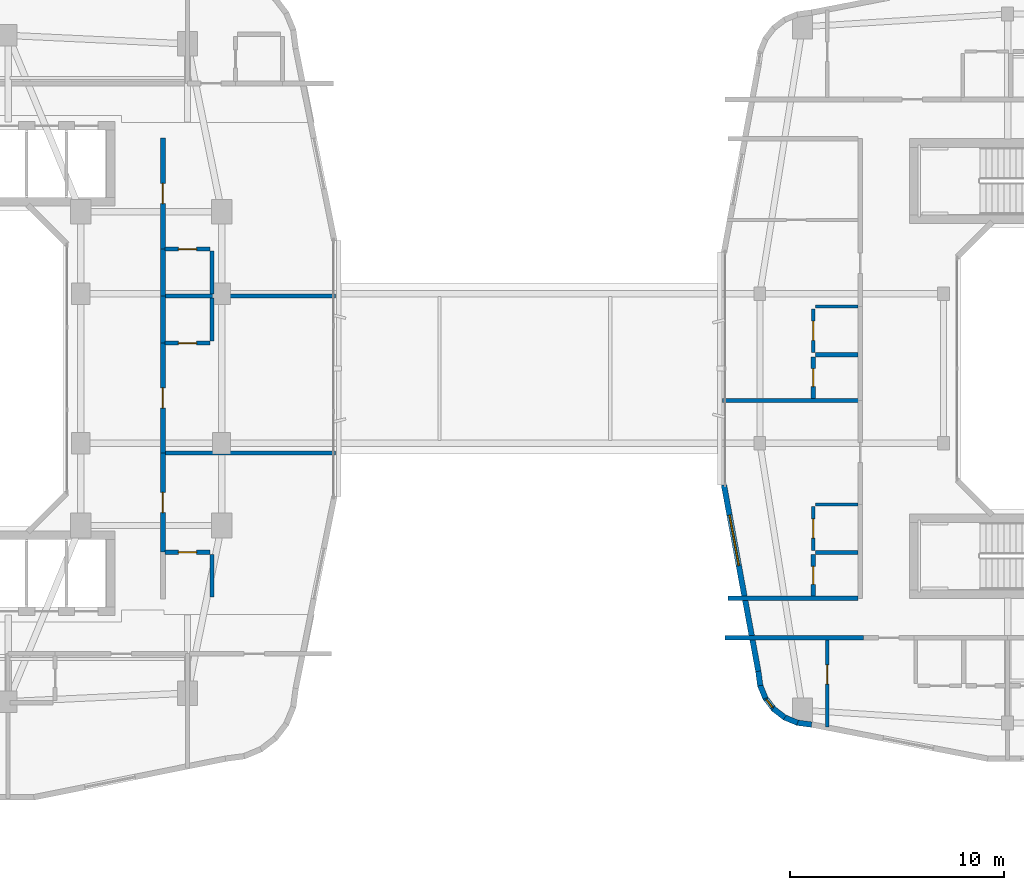
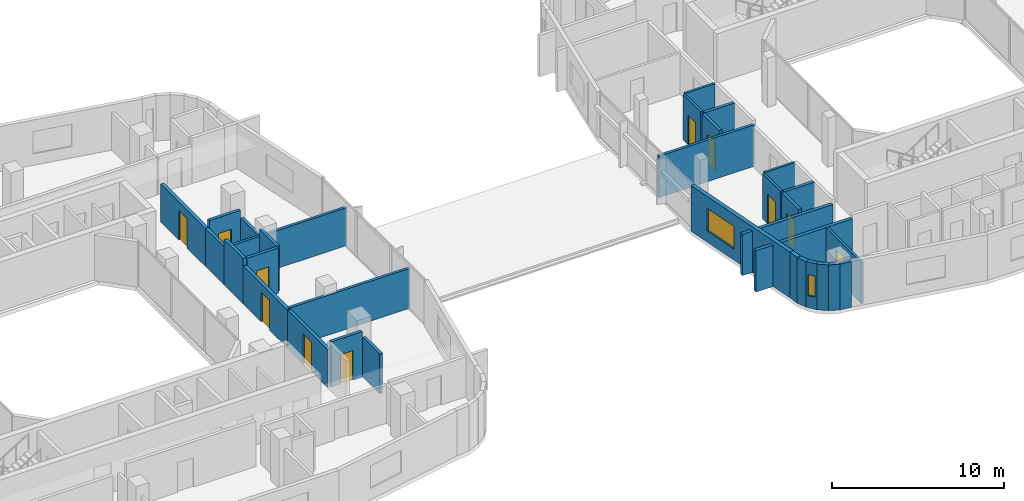
# One storey, part 10 of 22: 32 walls, 11 doors, 2 windows, 13 openings.
"""IFC4 building model written with IfcOpenShell, lengths in metres."""

from ifc_helpers import new_model, si_unit, derived_unit, direction, frame, frame_2d, origin, place, context, subcontext, project, spatial, rectangle, extrude, material, layer, layer_set, type_object, element, fill, save


model = new_model("IFC4")

# Units and contexts
model_context = context("Model", 3, precision=1e-05, world=origin(), true_north=direction((0.0, 1.0)))
body_context = subcontext(model_context, "Body", "Model", "MODEL_VIEW")
ifc_project = project(units=[si_unit("LENGTHUNIT", "METRE"), si_unit("AREAUNIT", "SQUARE_METRE"), si_unit("VOLUMEUNIT", "CUBIC_METRE"), si_unit("PLANEANGLEUNIT", "RADIAN"), si_unit("MASSUNIT", "GRAM", prefix="KILO"), derived_unit("THERMALTRANSMITTANCEUNIT", [(si_unit("POWERUNIT", "WATT"), 1), (si_unit("LENGTHUNIT", "METRE"), -2), (si_unit("THERMODYNAMICTEMPERATUREUNIT", "KELVIN"), -1)])], contexts=[model_context])

# Site, building, storey
site_placement = place(None, origin())
site = spatial("IfcSite", under=ifc_project, at=site_placement, CompositionType="ELEMENT")
building_placement = place(site_placement, origin())
building = spatial("IfcBuilding", under=site, at=building_placement, Name="Kivonza Crest Hotel", CompositionType="ELEMENT")
storey_placement = place(building_placement, frame((0.0, 0.0, 124.0)))
storey = spatial("IfcBuildingStorey", under=building, at=storey_placement, Name="L33", CompositionType="ELEMENT", Elevation=124.0)

# Walls
ifc_material_1 = material(Name="High-density acoustic masonry inter-tenancy wall", Category="masonry")
ifc_layer_1 = layer(ifc_material_1, 0.179931640625)
ifc_layer_set_1 = layer_set([ifc_layer_1], Name="High-density acoustic masonry inter-tenancy wall")
wall_type_1 = type_object("IfcWallType", Name="WL-ACOU-180", PredefinedType="SOLIDWALL", material=ifc_layer_set_1)
wall_1_placement = place(storey_placement, frame((33.050048828125, 21.049072265625, 0.0), z_axis=(0.0, 0.0, 1.0), x_axis=(1.0, 0.0, 0.0)))
element("IfcWall", 1, at=wall_1_placement, inside=storey, type_object=wall_type_1, Name="L33 interior partition WA-L33-T1E-DIV1", PredefinedType="SOLIDWALL", context=body_context, shape_type="SweptSolid", body=[
    extrude(rectangle(XDim=8.08984375, YDim=0.179931640625, at=frame_2d((4.044921875, 0.0))), origin(), (0.0, 0.0, 1.0), 2.8349609375),
])
wall_2_placement = place(storey_placement, frame((33.050048828125, 28.39306640625, 0.0), z_axis=(0.0, 0.0, 1.0), x_axis=(1.0, 0.0, 0.0)))
element("IfcWall", 2, at=wall_2_placement, inside=storey, type_object=wall_type_1, Name="L33 interior partition WA-L33-T1E-DIV2", PredefinedType="SOLIDWALL", context=body_context, shape_type="SweptSolid", body=[
    extrude(rectangle(XDim=8.08984375, YDim=0.179931640625, at=frame_2d((4.044921875, 0.0))), origin(), (0.0, 0.0, 1.0), 2.695068359375),
])
wall_3_placement = place(storey_placement, frame((59.260009765625, 23.5, 0.0), z_axis=(0.0, 0.0, 1.0), x_axis=(1.0, 0.0, 0.0)))
element("IfcWall", 3, at=wall_3_placement, inside=storey, type_object=wall_type_1, Name="L33 interior partition WA-L33-T2W-DIV1", PredefinedType="SOLIDWALL", context=body_context, shape_type="SweptSolid", body=[
    extrude(rectangle(XDim=6.43994140625, YDim=0.179931640625, at=frame_2d((3.219970703125, 0.0))), origin(), (0.0, 0.0, 1.0), 2.945068359375),
])

# Wall, opening, door
ifc_material_2 = material(Name="Autoclaved aerated concrete blockwork", Category="masonry")
ifc_layer_2 = layer(ifc_material_2, 0.219970703125)
ifc_layer_set_2 = layer_set([ifc_layer_2], Name="Autoclaved aerated concrete blockwork")
wall_type_2 = type_object("IfcWallType", Name="WL-ACOU-220", PredefinedType="SOLIDWALL", material=ifc_layer_set_2)
wall_4_placement = place(storey_placement, frame((33.050048828125, 16.39990234375, 0.0), z_axis=(0.0, 0.0, 1.0), x_axis=(0.0, 1.0, 0.0)))
wall_4 = element("IfcWall", 4, at=wall_4_placement, inside=storey, type_object=wall_type_2, Name="L33 interior partition WA-L33-E06-MCORR", PredefinedType="SOLIDWALL", context=body_context, shape_type="SweptSolid", body=[
    extrude(rectangle(XDim=4.649169921875, YDim=0.219970703125, at=frame_2d((2.32470703125, 0.0))), origin(), (0.0, 0.0, 1.0), 2.695068359375),
])
opening_1_placement = place(wall_4_placement, frame((1.85009765625, 0.0, 0.0)))
opening_1 = element("IfcOpeningElement", 5, at=opening_1_placement, cuts=wall_4, Name="Opening DU-60", PredefinedType="OPENING", context=body_context, shape_type="SweptSolid", body=[
    extrude(rectangle(XDim=0.949951171875, YDim=2.10009765625, at=frame_2d((0.47509765625, 1.050048828125))), frame((0.0, 0.1201171875, 0.0), z_axis=(0.0, -1.0, 0.0), x_axis=(1.0, 0.0, 0.0)), (0.0, 0.0, 1.0), 0.239990234375),
])
ifc_material_3 = material(Name="Hardwood timber oak", Category="wood")
door_type_1 = type_object("IfcDoorType", Name="DR-UNIT-950", OperationType="NOTDEFINED", PredefinedType="DOOR", material=ifc_material_3)
door_1_placement = place(opening_1_placement, frame((0.949951171875, 0.0, 0.0), z_axis=(0.0, 0.0, 1.0), x_axis=(-1.0, 0.0, 0.0)))
door_1 = element("IfcDoor", 6, at=door_1_placement, inside=storey, type_object=door_type_1, Name="L33 E06 guest unit entrance fire door", OperationType="SINGLE_SWING_RIGHT", OverallHeight=2.10009765625, OverallWidth=0.949951171875, PredefinedType="DOOR", context=body_context, shape_type="SweptSolid", body=[
    extrude(rectangle(XDim=0.949951171875, YDim=2.10009765625, at=frame_2d((0.47509765625, 1.050048828125))), frame((0.0, 0.02490234375, 0.0), z_axis=(0.0, -1.0, 0.0), x_axis=(1.0, 0.0, 0.0)), (0.0, 0.0, 1.0), 0.050048828125),
])
fill(opening_1, door_1)

# Wall
wall_5_placement = place(storey_placement, frame((33.050048828125, 26.193115234375, 0.0), z_axis=(0.0, 0.0, 1.0), x_axis=(0.0, 1.0, 0.0)))
element("IfcWall", 7, at=wall_5_placement, inside=storey, type_object=wall_type_2, Name="L33 interior partition WA-L33-E07-BCORR", PredefinedType="SOLIDWALL", context=body_context, shape_type="SweptSolid", body=[
    extrude(rectangle(XDim=2.199951171875, YDim=0.219970703125, at=frame_2d((1.10009765625, 0.0))), origin(), (0.0, 0.0, 1.0), 3.219970703125),
])

# Wall, opening, door
wall_6_placement = place(storey_placement, frame((33.050048828125, 21.049072265625, 0.0), z_axis=(0.0, 0.0, 1.0), x_axis=(0.0, 1.0, 0.0)))
wall_6 = element("IfcWall", 8, at=wall_6_placement, inside=storey, type_object=wall_type_2, Name="L33 interior partition WA-L33-E07-MCORR", PredefinedType="SOLIDWALL", context=body_context, shape_type="SweptSolid", body=[
    extrude(rectangle(XDim=5.14404296875, YDim=0.219970703125, at=frame_2d((2.572021484375, 0.0))), origin(), (0.0, 0.0, 1.0), 2.695068359375),
])
opening_2_placement = place(wall_6_placement, frame((2.096923828125, 0.0, 0.0)))
opening_2 = element("IfcOpeningElement", 9, at=opening_2_placement, cuts=wall_6, Name="Opening DU-60", PredefinedType="OPENING", context=body_context, shape_type="SweptSolid", body=[
    extrude(rectangle(XDim=0.949951171875, YDim=2.10009765625, at=frame_2d((0.47509765625, 1.050048828125))), frame((0.0, 0.1201171875, 0.0), z_axis=(0.0, -1.0, 0.0), x_axis=(1.0, 0.0, 0.0)), (0.0, 0.0, 1.0), 0.239990234375),
])
door_2_placement = place(opening_2_placement, frame((0.949951171875, 0.0, 0.0), z_axis=(0.0, 0.0, 1.0), x_axis=(-1.0, 0.0, 0.0)))
door_2 = element("IfcDoor", 10, at=door_2_placement, inside=storey, type_object=door_type_1, Name="L33 E07 guest unit entrance fire door", OperationType="SINGLE_SWING_LEFT", OverallHeight=2.10009765625, OverallWidth=0.949951171875, PredefinedType="DOOR", context=body_context, shape_type="SweptSolid", body=[
    extrude(rectangle(XDim=0.949951171875, YDim=2.10009765625, at=frame_2d((0.47509765625, 1.050048828125))), frame((0.0, 0.02490234375, 0.0), z_axis=(0.0, -1.0, 0.0), x_axis=(1.0, 0.0, 0.0)), (0.0, 0.0, 1.0), 0.050048828125),
])
fill(opening_2, door_2)

# Wall
wall_7_placement = place(storey_placement, frame((33.050048828125, 28.39306640625, 0.0), z_axis=(0.0, 0.0, 1.0), x_axis=(0.0, 1.0, 0.0)))
element("IfcWall", 11, at=wall_7_placement, inside=storey, type_object=wall_type_2, Name="L33 interior partition WA-L33-E08-BCORR", PredefinedType="SOLIDWALL", context=body_context, shape_type="SweptSolid", body=[
    extrude(rectangle(XDim=2.199951171875, YDim=0.219970703125, at=frame_2d((1.10009765625, 0.0))), origin(), (0.0, 0.0, 1.0), 2.695068359375),
])

# Wall, opening, door
wall_8_placement = place(storey_placement, frame((33.050048828125, 30.593017578125, 0.0), z_axis=(0.0, 0.0, 1.0), x_axis=(0.0, 1.0, 0.0)))
wall_8 = element("IfcWall", 12, at=wall_8_placement, inside=storey, type_object=wall_type_2, Name="L33 interior partition WA-L33-E08-MCORR", PredefinedType="SOLIDWALL", context=body_context, shape_type="SweptSolid", body=[
    extrude(rectangle(XDim=5.20703125, YDim=0.219970703125, at=frame_2d((2.603515625, 0.0))), origin(), (0.0, 0.0, 1.0), 2.695068359375),
])
opening_3_placement = place(wall_8_placement, frame((2.1279296875, 0.0, 0.0)))
opening_3 = element("IfcOpeningElement", 13, at=opening_3_placement, cuts=wall_8, Name="Opening DU-60", PredefinedType="OPENING", context=body_context, shape_type="SweptSolid", body=[
    extrude(rectangle(XDim=0.949951171875, YDim=2.10009765625, at=frame_2d((0.47509765625, 1.050048828125))), frame((0.0, 0.1201171875, 0.0), z_axis=(0.0, -1.0, 0.0), x_axis=(1.0, 0.0, 0.0)), (0.0, 0.0, 1.0), 0.239990234375),
])
door_3_placement = place(opening_3_placement, frame((0.949951171875, 0.0, 0.0), z_axis=(0.0, 0.0, 1.0), x_axis=(-1.0, 0.0, 0.0)))
door_3 = element("IfcDoor", 14, at=door_3_placement, inside=storey, type_object=door_type_1, Name="L33 E08 guest unit entrance fire door", OperationType="SINGLE_SWING_RIGHT", OverallHeight=2.10009765625, OverallWidth=0.949951171875, PredefinedType="DOOR", context=body_context, shape_type="SweptSolid", body=[
    extrude(rectangle(XDim=0.949951171875, YDim=2.10009765625, at=frame_2d((0.47509765625, 1.050048828125))), frame((0.0, 0.02490234375, 0.0), z_axis=(0.0, -1.0, 0.0), x_axis=(1.0, 0.0, 0.0)), (0.0, 0.0, 1.0), 0.050048828125),
])
fill(opening_3, door_3)

# Walls
wall_9_placement = place(storey_placement, frame((59.360107421875, 12.39990234375, 0.0), z_axis=(0.0, 0.0, 1.0), x_axis=(1.0, 0.0, 0.0)))
element("IfcWall", 15, at=wall_9_placement, inside=storey, type_object=wall_type_2, Name="L33 interior partition WA-L33-A03-LCORR", PredefinedType="SOLIDWALL", context=body_context, shape_type="SweptSolid", body=[
    extrude(rectangle(XDim=6.489990234375, YDim=0.219970703125, at=frame_2d((3.2451171875, 0.0))), origin(), (0.0, 0.0, 1.0), 2.945068359375),
])
wall_10_placement = place(storey_placement, frame((59.52001953125, 14.239990234375, 0.0), z_axis=(0.0, 0.0, 1.0), x_axis=(1.0, 0.0, 0.0)))
element("IfcWall", 16, at=wall_10_placement, inside=storey, type_object=wall_type_2, Name="L33 interior partition WA-L33-T2W-ENDS", PredefinedType="SOLIDWALL", context=body_context, shape_type="SweptSolid", body=[
    extrude(rectangle(XDim=6.080078125, YDim=0.219970703125, at=frame_2d((3.0400390625, 0.0))), origin(), (0.0, 0.0, 1.0), 2.945068359375),
])
ifc_material_4 = material(Name="Precast concrete C40/50", Category="concrete")
ifc_layer_3 = layer(ifc_material_4, 0.260009765625)
ifc_layer_set_3 = layer_set([ifc_layer_3], Name="Precast concrete C40/50")
wall_type_3 = type_object("IfcWallType", Name="WL-EXT-260", PredefinedType="STANDARD", material=ifc_layer_set_3)
wall_11_placement = place(storey_placement, frame((60.927978515625, 10.824951171875, 0.0), z_axis=(0.0, 0.0, 1.0), x_axis=(0.131667498923, -0.991293937098, 0.0)))
element("IfcWall", 17, at=wall_11_placement, inside=storey, type_object=wall_type_3, Name="L33 T2 exterior insulated wall 1", PredefinedType="STANDARD", context=body_context, shape_type="SweptSolid", body=[
    extrude(rectangle(XDim=0.6767578125, YDim=0.260009765625, at=frame_2d((0.33837890625, 0.0))), origin(), (0.0, 0.0, 1.0), 3.25),
])
wall_12_placement = place(storey_placement, frame((60.9990234375, 10.199951171875, 0.0), z_axis=(0.0, 0.0, 1.0), x_axis=(0.381988976935, -0.924166879681, 0.0)))
element("IfcWall", 18, at=wall_12_placement, inside=storey, type_object=wall_type_3, Name="L33 T2 exterior insulated wall 2", PredefinedType="STANDARD", context=body_context, shape_type="SweptSolid", body=[
    extrude(rectangle(XDim=0.693359375, YDim=0.260009765625, at=frame_2d((0.3466796875, 0.0))), origin(), (0.0, 0.0, 1.0), 3.25),
])

# Wall, opening, window
wall_13_placement = place(storey_placement, frame((61.236083984375, 9.59912109375, 0.0), z_axis=(0.0, 0.0, 1.0), x_axis=(0.609472651958, -0.792807092876, 0.0)))
wall_13 = element("IfcWall", 19, at=wall_13_placement, inside=storey, type_object=wall_type_3, Name="L33 T2 exterior insulated wall 3", PredefinedType="STANDARD", context=body_context, shape_type="SweptSolid", body=[
    extrude(rectangle(XDim=0.69384765625, YDim=0.260009765625, at=frame_2d((0.346923828125, 0.0))), origin(), (0.0, 0.0, 1.0), 3.25),
])
opening_4_placement = place(wall_13_placement, frame((0.1220703125, 0.0, 0.85009765625)))
opening_4 = element("IfcOpeningElement", 20, at=opening_4_placement, cuts=wall_13, Name="Opening WN-11", PredefinedType="OPENING", context=body_context, shape_type="SweptSolid", body=[
    extrude(rectangle(XDim=0.449951171875, YDim=1.5, at=frame_2d((0.22509765625, 0.75))), frame((0.0, 0.14013671875, 0.0), z_axis=(0.0, -1.0, 0.0), x_axis=(1.0, 0.0, 0.0)), (0.0, 0.0, 1.0), 0.280029296875),
])
ifc_material_5 = material(Name="Thermally broken bronze aluminium and low-E double glazing", Category="aluminium")
window_type_1 = type_object("IfcWindowType", Name="WN-045x150", PartitioningType="SINGLE_PANEL", PredefinedType="WINDOW", material=ifc_material_5)
window_1_placement = place(opening_4_placement, origin())
window_1 = element("IfcWindow", 21, at=window_1_placement, inside=storey, type_object=window_type_1, Name="L33 corner vision window 4", OverallHeight=1.5, OverallWidth=0.449951171875, PartitioningType="SINGLE_PANEL", PredefinedType="WINDOW", context=body_context, shape_type="SweptSolid", body=[
    extrude(rectangle(XDim=0.449951171875, YDim=1.5, at=frame_2d((0.22509765625, 0.75))), frame((0.0, 0.030029296875, 0.0), z_axis=(0.0, -1.0, 0.0), x_axis=(1.0, 0.0, 0.0)), (0.0, 0.0, 1.0), 0.06005859375),
])
fill(opening_4, window_1)

# Walls
wall_14_placement = place(storey_placement, frame((61.62109375, 9.080078125, 0.0), z_axis=(0.0, 0.0, 1.0), x_axis=(0.792506234191, -0.609863811657, 0.0)))
element("IfcWall", 22, at=wall_14_placement, inside=storey, type_object=wall_type_3, Name="L33 T2 exterior insulated wall 4", PredefinedType="STANDARD", context=body_context, shape_type="SweptSolid", body=[
    extrude(rectangle(XDim=0.69384765625, YDim=0.260009765625, at=frame_2d((0.346923828125, 0.0))), origin(), (0.0, 0.0, 1.0), 3.25),
])
wall_15_placement = place(storey_placement, frame((62.126953125, 8.677978515625, 0.0), z_axis=(0.0, 0.0, 1.0), x_axis=(0.92421822618, -0.381864727877, 0.0)))
element("IfcWall", 23, at=wall_15_placement, inside=storey, type_object=wall_type_3, Name="L33 T2 exterior insulated wall 5", PredefinedType="STANDARD", context=body_context, shape_type="SweptSolid", body=[
    extrude(rectangle(XDim=0.693603515625, YDim=0.260009765625, at=frame_2d((0.3466796875, 0.0))), origin(), (0.0, 0.0, 1.0), 3.25),
])
wall_16_placement = place(storey_placement, frame((62.718994140625, 8.4208984375, 0.0), z_axis=(0.0, 0.0, 1.0), x_axis=(0.991433279471, -0.130614135366, 0.0)))
element("IfcWall", 24, at=wall_16_placement, inside=storey, type_object=wall_type_3, Name="L33 T2 exterior insulated wall 6", PredefinedType="STANDARD", context=body_context, shape_type="SweptSolid", body=[
    extrude(rectangle(XDim=0.712158203125, YDim=0.260009765625, at=frame_2d((0.35595703125, 0.0))), origin(), (0.0, 0.0, 1.0), 3.25),
])

# Wall, opening, window
wall_17_placement = place(storey_placement, frame((59.318115234375, 19.55810546875, 0.0), z_axis=(0.0, 0.0, 1.0), x_axis=(0.181209963057, -0.983444431215, 0.0)))
wall_17 = element("IfcWall", 25, at=wall_17_placement, inside=storey, type_object=wall_type_3, Name="L33 T2 exterior insulated wall 36", PredefinedType="STANDARD", context=body_context, shape_type="SweptSolid", body=[
    extrude(rectangle(XDim=8.889404296875, YDim=0.260009765625, at=frame_2d((4.44482421875, 0.0))), origin(), (0.0, 0.0, 1.0), 3.25),
])
opening_5_placement = place(wall_17_placement, frame((1.444091796875, 0.0, 0.800048828125)))
opening_5 = element("IfcOpeningElement", 26, at=opening_5_placement, cuts=wall_17, Name="Opening WN-05", PredefinedType="OPENING", context=body_context, shape_type="SweptSolid", body=[
    extrude(rectangle(XDim=2.39990234375, YDim=1.60009765625, at=frame_2d((1.199951171875, 0.800048828125))), frame((0.0, 0.14013671875, 0.0), z_axis=(0.0, -1.0, 0.0), x_axis=(1.0, 0.0, 0.0)), (0.0, 0.0, 1.0), 0.280029296875),
])
window_type_2 = type_object("IfcWindowType", Name="WN-240x160", PartitioningType="TRIPLE_PANEL_VERTICAL", PredefinedType="WINDOW", material=ifc_material_5)
window_2_placement = place(opening_5_placement, origin())
window_2 = element("IfcWindow", 27, at=window_2_placement, inside=storey, type_object=window_type_2, Name="L33 T2 facade window 36", OverallHeight=1.60009765625, OverallWidth=2.39990234375, PartitioningType="SINGLE_PANEL", PredefinedType="WINDOW", context=body_context, shape_type="SweptSolid", body=[
    extrude(rectangle(XDim=2.39990234375, YDim=1.60009765625, at=frame_2d((1.199951171875, 0.800048828125))), frame((0.0, 0.030029296875, 0.0), z_axis=(0.0, -1.0, 0.0), x_axis=(1.0, 0.0, 0.0)), (0.0, 0.0, 1.0), 0.06005859375),
])
fill(opening_5, window_2)

# Wall, opening, door
ifc_material_6 = material(Name="Twin-stud acoustic gypsum board partition", Category="gypsum")
ifc_layer_4 = layer(ifc_material_6, 0.14990234375)
ifc_layer_set_4 = layer_set([ifc_layer_4], Name="Twin-stud acoustic gypsum board partition")
wall_type_4 = type_object("IfcWallType", Name="WL-PART-150", PredefinedType="PARTITIONING", material=ifc_layer_set_4)
wall_18_placement = place(storey_placement, frame((64.159912109375, 8.214111328125, 0.0), z_axis=(0.0, 0.0, 1.0), x_axis=(0.0, 1.0, 0.0)))
wall_18 = element("IfcWall", 28, at=wall_18_placement, inside=storey, type_object=wall_type_4, Name="L33 interior partition WP-L33-A03-BDW1", PredefinedType="PARTITIONING", context=body_context, shape_type="SweptSolid", body=[
    extrude(rectangle(XDim=4.0859375, YDim=0.14990234375, at=frame_2d((2.04296875, 0.0))), origin(), (0.0, 0.0, 1.0), 2.945068359375),
])
opening_6_placement = place(wall_18_placement, frame((2.010009765625, 0.0, 0.0)))
opening_6 = element("IfcOpeningElement", 29, at=opening_6_placement, cuts=wall_18, Name="Opening DI-90", PredefinedType="OPENING", context=body_context, shape_type="SweptSolid", body=[
    extrude(rectangle(XDim=0.89990234375, YDim=2.10009765625, at=frame_2d((0.449951171875, 1.050048828125))), frame((0.0, 0.0849609375, 0.0), z_axis=(0.0, -1.0, 0.0), x_axis=(1.0, 0.0, 0.0)), (0.0, 0.0, 1.0), 0.169921875),
])
door_type_2 = type_object("IfcDoorType", Name="DR-INT-900", OperationType="NOTDEFINED", PredefinedType="DOOR", material=ifc_material_3)
door_4_placement = place(opening_6_placement, origin())
door_4 = element("IfcDoor", 30, at=door_4_placement, inside=storey, type_object=door_type_2, Name="L33 A03 bedroom 1 door", OperationType="SINGLE_SWING_RIGHT", OverallHeight=2.10009765625, OverallWidth=0.89990234375, PredefinedType="DOOR", context=body_context, shape_type="SweptSolid", body=[
    extrude(rectangle(XDim=0.89990234375, YDim=2.10009765625, at=frame_2d((0.449951171875, 1.050048828125))), frame((0.0, 0.02490234375, 0.0), z_axis=(0.0, -1.0, 0.0), x_axis=(1.0, 0.0, 0.0)), (0.0, 0.0, 1.0), 0.050048828125),
])
fill(opening_6, door_4)

# Wall
wall_19_placement = place(storey_placement, frame((63.60009765625, 18.639892578125, 0.0), z_axis=(0.0, 0.0, 1.0), x_axis=(1.0, 0.0, 0.0)))
element("IfcWall", 31, at=wall_19_placement, inside=storey, type_object=wall_type_4, Name="L33 interior partition WP-L33-A06-KF", PredefinedType="PARTITIONING", context=body_context, shape_type="SweptSolid", body=[
    extrude(rectangle(XDim=2.0, YDim=0.14990234375, at=frame_2d((1.0, 0.0))), origin(), (0.0, 0.0, 1.0), 3.219970703125),
])

# Wall, opening, door
wall_20_placement = place(storey_placement, frame((63.5, 16.489990234375, 0.0), z_axis=(0.0, 0.0, 1.0), x_axis=(0.0, 1.0, 0.0)))
wall_20 = element("IfcWall", 32, at=wall_20_placement, inside=storey, type_object=wall_type_4, Name="L33 interior partition WP-L33-A06-KSVC", PredefinedType="PARTITIONING", context=body_context, shape_type="SweptSolid", body=[
    extrude(rectangle(XDim=2.050048828125, YDim=0.14990234375, at=frame_2d((1.02490234375, 0.0))), origin(), (0.0, 0.0, 1.0), 3.219970703125),
])
opening_7_placement = place(wall_20_placement, frame((0.574951171875, 0.0, 0.0)))
opening_7 = element("IfcOpeningElement", 33, at=opening_7_placement, cuts=wall_20, Name="Opening DI-90", PredefinedType="OPENING", context=body_context, shape_type="SweptSolid", body=[
    extrude(rectangle(XDim=0.89990234375, YDim=2.10009765625, at=frame_2d((0.449951171875, 1.050048828125))), frame((0.0, 0.0849609375, 0.0), z_axis=(0.0, -1.0, 0.0), x_axis=(1.0, 0.0, 0.0)), (0.0, 0.0, 1.0), 0.169921875),
])
door_5_placement = place(opening_7_placement, origin())
door_5 = element("IfcDoor", 34, at=door_5_placement, inside=storey, type_object=door_type_2, Name="L33 A06 apartment kitchen door", OperationType="SINGLE_SWING_RIGHT", OverallHeight=2.10009765625, OverallWidth=0.89990234375, PredefinedType="DOOR", context=body_context, shape_type="SweptSolid", body=[
    extrude(rectangle(XDim=0.89990234375, YDim=2.10009765625, at=frame_2d((0.449951171875, 1.050048828125))), frame((0.0, 0.02490234375, 0.0), z_axis=(0.0, -1.0, 0.0), x_axis=(1.0, 0.0, 0.0)), (0.0, 0.0, 1.0), 0.050048828125),
])
fill(opening_7, door_5)

# Wall
wall_21_placement = place(storey_placement, frame((63.60009765625, 27.89990234375, 0.0), z_axis=(0.0, 0.0, 1.0), x_axis=(1.0, 0.0, 0.0)))
element("IfcWall", 35, at=wall_21_placement, inside=storey, type_object=wall_type_4, Name="L33 interior partition WP-L33-A07-KF", PredefinedType="PARTITIONING", context=body_context, shape_type="SweptSolid", body=[
    extrude(rectangle(XDim=2.0, YDim=0.14990234375, at=frame_2d((1.0, 0.0))), origin(), (0.0, 0.0, 1.0), 3.219970703125),
])

# Wall, opening, door
wall_22_placement = place(storey_placement, frame((63.5, 25.75, 0.0), z_axis=(0.0, 0.0, 1.0), x_axis=(0.0, 1.0, 0.0)))
wall_22 = element("IfcWall", 36, at=wall_22_placement, inside=storey, type_object=wall_type_4, Name="L33 interior partition WP-L33-A07-KSVC", PredefinedType="PARTITIONING", context=body_context, shape_type="SweptSolid", body=[
    extrude(rectangle(XDim=2.050048828125, YDim=0.14990234375, at=frame_2d((1.02490234375, 0.0))), origin(), (0.0, 0.0, 1.0), 3.219970703125),
])
opening_8_placement = place(wall_22_placement, frame((0.574951171875, 0.0, 0.0)))
opening_8 = element("IfcOpeningElement", 37, at=opening_8_placement, cuts=wall_22, Name="Opening DI-90", PredefinedType="OPENING", context=body_context, shape_type="SweptSolid", body=[
    extrude(rectangle(XDim=0.89990234375, YDim=2.10009765625, at=frame_2d((0.449951171875, 1.050048828125))), frame((0.0, 0.0849609375, 0.0), z_axis=(0.0, -1.0, 0.0), x_axis=(1.0, 0.0, 0.0)), (0.0, 0.0, 1.0), 0.169921875),
])
door_6_placement = place(opening_8_placement, origin())
door_6 = element("IfcDoor", 38, at=door_6_placement, inside=storey, type_object=door_type_2, Name="L33 A07 apartment kitchen door", OperationType="SINGLE_SWING_LEFT", OverallHeight=2.10009765625, OverallWidth=0.89990234375, PredefinedType="DOOR", context=body_context, shape_type="SweptSolid", body=[
    extrude(rectangle(XDim=0.89990234375, YDim=2.10009765625, at=frame_2d((0.449951171875, 1.050048828125))), frame((0.0, 0.02490234375, 0.0), z_axis=(0.0, -1.0, 0.0), x_axis=(1.0, 0.0, 0.0)), (0.0, 0.0, 1.0), 0.050048828125),
])
fill(opening_8, door_6)

ifc_material_7 = material(Name="Moisture-resistant plumbing chase partition wall", Category="gypsum")
ifc_layer_5 = layer(ifc_material_7, 0.199951171875)
ifc_layer_set_5 = layer_set([ifc_layer_5], Name="Moisture-resistant plumbing chase partition wall")
wall_type_5 = type_object("IfcWallType", Name="WL-PLUMB-200", PredefinedType="PLUMBINGWALL", material=ifc_layer_set_5)
wall_23_placement = place(storey_placement, frame((33.14990234375, 16.39990234375, 0.0), z_axis=(0.0, 0.0, 1.0), x_axis=(1.0, 0.0, 0.0)))
wall_23 = element("IfcWall", 39, at=wall_23_placement, inside=storey, type_object=wall_type_5, Name="L33 interior partition WW-L33-E06-BH", PredefinedType="PLUMBINGWALL", context=body_context, shape_type="SweptSolid", body=[
    extrude(rectangle(XDim=2.10009765625, YDim=0.199951171875, at=frame_2d((1.050048828125, 0.0))), origin(), (0.0, 0.0, 1.0), 3.219970703125),
])
opening_9_placement = place(wall_23_placement, frame((0.625, 0.0, 0.0)))
opening_9 = element("IfcOpeningElement", 40, at=opening_9_placement, cuts=wall_23, Name="Opening DI-85", PredefinedType="OPENING", context=body_context, shape_type="SweptSolid", body=[
    extrude(rectangle(XDim=0.85009765625, YDim=2.10009765625, at=frame_2d((0.425048828125, 1.050048828125))), frame((0.0, 0.10986328125, 0.0), z_axis=(0.0, -1.0, 0.0), x_axis=(1.0, 0.0, 0.0)), (0.0, 0.0, 1.0), 0.219970703125),
])
door_type_3 = type_object("IfcDoorType", Name="DR-INT-850", OperationType="NOTDEFINED", PredefinedType="DOOR", material=ifc_material_3)
door_7_placement = place(opening_9_placement, origin())
door_7 = element("IfcDoor", 41, at=door_7_placement, inside=storey, type_object=door_type_3, Name="L33 E06 en-suite bathroom door", OperationType="SINGLE_SWING_LEFT", OverallHeight=2.10009765625, OverallWidth=0.85009765625, PredefinedType="DOOR", context=body_context, shape_type="SweptSolid", body=[
    extrude(rectangle(XDim=0.85009765625, YDim=2.10009765625, at=frame_2d((0.425048828125, 1.050048828125))), frame((0.0, 0.02490234375, 0.0), z_axis=(0.0, -1.0, 0.0), x_axis=(1.0, 0.0, 0.0)), (0.0, 0.0, 1.0), 0.050048828125),
])
fill(opening_9, door_7)

# Wall
wall_24_placement = place(storey_placement, frame((35.35009765625, 14.300048828125, 0.0), z_axis=(0.0, 0.0, 1.0), x_axis=(0.0, 1.0, 0.0)))
element("IfcWall", 42, at=wall_24_placement, inside=storey, type_object=wall_type_5, Name="L33 interior partition WW-L33-E06-BV", PredefinedType="PLUMBINGWALL", context=body_context, shape_type="SweptSolid", body=[
    extrude(rectangle(XDim=2.0, YDim=0.199951171875, at=frame_2d((1.0, 0.0))), origin(), (0.0, 0.0, 1.0), 2.8349609375),
])

# Wall, opening, door
wall_25_placement = place(storey_placement, frame((33.14990234375, 26.193115234375, 0.0), z_axis=(0.0, 0.0, 1.0), x_axis=(1.0, 0.0, 0.0)))
wall_25 = element("IfcWall", 43, at=wall_25_placement, inside=storey, type_object=wall_type_5, Name="L33 interior partition WW-L33-E07-BH", PredefinedType="PLUMBINGWALL", context=body_context, shape_type="SweptSolid", body=[
    extrude(rectangle(XDim=2.10009765625, YDim=0.199951171875, at=frame_2d((1.050048828125, 0.0))), origin(), (0.0, 0.0, 1.0), 3.219970703125),
])
opening_10_placement = place(wall_25_placement, frame((0.625, 0.0, 0.0)))
opening_10 = element("IfcOpeningElement", 44, at=opening_10_placement, cuts=wall_25, Name="Opening DI-85", PredefinedType="OPENING", context=body_context, shape_type="SweptSolid", body=[
    extrude(rectangle(XDim=0.85009765625, YDim=2.10009765625, at=frame_2d((0.425048828125, 1.050048828125))), frame((0.0, 0.10986328125, 0.0), z_axis=(0.0, -1.0, 0.0), x_axis=(1.0, 0.0, 0.0)), (0.0, 0.0, 1.0), 0.219970703125),
])
door_8_placement = place(opening_10_placement, frame((0.85009765625, 0.0, 0.0), z_axis=(0.0, 0.0, 1.0), x_axis=(-1.0, 0.0, 0.0)))
door_8 = element("IfcDoor", 45, at=door_8_placement, inside=storey, type_object=door_type_3, Name="L33 E07 en-suite bathroom door", OperationType="SINGLE_SWING_RIGHT", OverallHeight=2.10009765625, OverallWidth=0.85009765625, PredefinedType="DOOR", context=body_context, shape_type="SweptSolid", body=[
    extrude(rectangle(XDim=0.85009765625, YDim=2.10009765625, at=frame_2d((0.425048828125, 1.050048828125))), frame((0.0, 0.02490234375, 0.0), z_axis=(0.0, -1.0, 0.0), x_axis=(1.0, 0.0, 0.0)), (0.0, 0.0, 1.0), 0.050048828125),
])
fill(opening_10, door_8)

# Wall
wall_26_placement = place(storey_placement, frame((35.35009765625, 26.29296875, 0.0), z_axis=(0.0, 0.0, 1.0), x_axis=(0.0, 1.0, 0.0)))
element("IfcWall", 46, at=wall_26_placement, inside=storey, type_object=wall_type_5, Name="L33 interior partition WW-L33-E07-BV", PredefinedType="PLUMBINGWALL", context=body_context, shape_type="SweptSolid", body=[
    extrude(rectangle(XDim=2.0, YDim=0.199951171875, at=frame_2d((1.0, 0.0))), origin(), (0.0, 0.0, 1.0), 3.219970703125),
])

# Wall, opening, door
wall_27_placement = place(storey_placement, frame((33.14990234375, 30.593017578125, 0.0), z_axis=(0.0, 0.0, 1.0), x_axis=(1.0, 0.0, 0.0)))
wall_27 = element("IfcWall", 47, at=wall_27_placement, inside=storey, type_object=wall_type_5, Name="L33 interior partition WW-L33-E08-BH", PredefinedType="PLUMBINGWALL", context=body_context, shape_type="SweptSolid", body=[
    extrude(rectangle(XDim=2.10009765625, YDim=0.199951171875, at=frame_2d((1.050048828125, 0.0))), origin(), (0.0, 0.0, 1.0), 3.219970703125),
])
opening_11_placement = place(wall_27_placement, frame((0.625, 0.0, 0.0)))
opening_11 = element("IfcOpeningElement", 48, at=opening_11_placement, cuts=wall_27, Name="Opening DI-85", PredefinedType="OPENING", context=body_context, shape_type="SweptSolid", body=[
    extrude(rectangle(XDim=0.85009765625, YDim=2.10009765625, at=frame_2d((0.425048828125, 1.050048828125))), frame((0.0, 0.10986328125, 0.0), z_axis=(0.0, -1.0, 0.0), x_axis=(1.0, 0.0, 0.0)), (0.0, 0.0, 1.0), 0.219970703125),
])
door_9_placement = place(opening_11_placement, origin())
door_9 = element("IfcDoor", 49, at=door_9_placement, inside=storey, type_object=door_type_3, Name="L33 E08 en-suite bathroom door", OperationType="SINGLE_SWING_LEFT", OverallHeight=2.10009765625, OverallWidth=0.85009765625, PredefinedType="DOOR", context=body_context, shape_type="SweptSolid", body=[
    extrude(rectangle(XDim=0.85009765625, YDim=2.10009765625, at=frame_2d((0.425048828125, 1.050048828125))), frame((0.0, 0.02490234375, 0.0), z_axis=(0.0, -1.0, 0.0), x_axis=(1.0, 0.0, 0.0)), (0.0, 0.0, 1.0), 0.050048828125),
])
fill(opening_11, door_9)

# Walls
wall_28_placement = place(storey_placement, frame((35.35009765625, 28.492919921875, 0.0), z_axis=(0.0, 0.0, 1.0), x_axis=(0.0, 1.0, 0.0)))
element("IfcWall", 50, at=wall_28_placement, inside=storey, type_object=wall_type_5, Name="L33 interior partition WW-L33-E08-BV", PredefinedType="PLUMBINGWALL", context=body_context, shape_type="SweptSolid", body=[
    extrude(rectangle(XDim=2.0, YDim=0.199951171875, at=frame_2d((1.0, 0.0))), origin(), (0.0, 0.0, 1.0), 2.695068359375),
])
wall_29_placement = place(storey_placement, frame((63.60009765625, 16.389892578125, 0.0), z_axis=(0.0, 0.0, 1.0), x_axis=(1.0, 0.0, 0.0)))
element("IfcWall", 51, at=wall_29_placement, inside=storey, type_object=wall_type_5, Name="L33 interior partition WW-L33-A06-BK", PredefinedType="PLUMBINGWALL", context=body_context, shape_type="SweptSolid", body=[
    extrude(rectangle(XDim=2.0, YDim=0.199951171875, at=frame_2d((1.0, 0.0))), origin(), (0.0, 0.0, 1.0), 3.219970703125),
])

# Wall, opening, door
wall_30_placement = place(storey_placement, frame((63.5, 14.340087890625, 0.0), z_axis=(0.0, 0.0, 1.0), x_axis=(0.0, 1.0, 0.0)))
wall_30 = element("IfcWall", 52, at=wall_30_placement, inside=storey, type_object=wall_type_5, Name="L33 interior partition WW-L33-A06-BSVC", PredefinedType="PLUMBINGWALL", context=body_context, shape_type="SweptSolid", body=[
    extrude(rectangle(XDim=1.949951171875, YDim=0.199951171875, at=frame_2d((0.97509765625, 0.0))), origin(), (0.0, 0.0, 1.0), 3.219970703125),
])
opening_12_placement = place(wall_30_placement, frame((0.550048828125, 0.0, 0.0)))
opening_12 = element("IfcOpeningElement", 53, at=opening_12_placement, cuts=wall_30, Name="Opening DI-85", PredefinedType="OPENING", context=body_context, shape_type="SweptSolid", body=[
    extrude(rectangle(XDim=0.85009765625, YDim=2.10009765625, at=frame_2d((0.425048828125, 1.050048828125))), frame((0.0, 0.10986328125, 0.0), z_axis=(0.0, -1.0, 0.0), x_axis=(1.0, 0.0, 0.0)), (0.0, 0.0, 1.0), 0.219970703125),
])
door_10_placement = place(opening_12_placement, origin())
door_10 = element("IfcDoor", 54, at=door_10_placement, inside=storey, type_object=door_type_3, Name="L33 A06 apartment bathroom door", OperationType="SINGLE_SWING_LEFT", OverallHeight=2.10009765625, OverallWidth=0.85009765625, PredefinedType="DOOR", context=body_context, shape_type="SweptSolid", body=[
    extrude(rectangle(XDim=0.85009765625, YDim=2.10009765625, at=frame_2d((0.425048828125, 1.050048828125))), frame((0.0, 0.02490234375, 0.0), z_axis=(0.0, -1.0, 0.0), x_axis=(1.0, 0.0, 0.0)), (0.0, 0.0, 1.0), 0.050048828125),
])
fill(opening_12, door_10)

# Wall
wall_31_placement = place(storey_placement, frame((63.60009765625, 25.64990234375, 0.0), z_axis=(0.0, 0.0, 1.0), x_axis=(1.0, 0.0, 0.0)))
element("IfcWall", 55, at=wall_31_placement, inside=storey, type_object=wall_type_5, Name="L33 interior partition WW-L33-A07-BK", PredefinedType="PLUMBINGWALL", context=body_context, shape_type="SweptSolid", body=[
    extrude(rectangle(XDim=2.0, YDim=0.199951171875, at=frame_2d((1.0, 0.0))), origin(), (0.0, 0.0, 1.0), 3.219970703125),
])

# Wall, opening, door
wall_32_placement = place(storey_placement, frame((63.5, 23.60009765625, 0.0), z_axis=(0.0, 0.0, 1.0), x_axis=(0.0, 1.0, 0.0)))
wall_32 = element("IfcWall", 56, at=wall_32_placement, inside=storey, type_object=wall_type_5, Name="L33 interior partition WW-L33-A07-BSVC", PredefinedType="PLUMBINGWALL", context=body_context, shape_type="SweptSolid", body=[
    extrude(rectangle(XDim=1.949951171875, YDim=0.199951171875, at=frame_2d((0.97509765625, 0.0))), origin(), (0.0, 0.0, 1.0), 3.219970703125),
])
opening_13_placement = place(wall_32_placement, frame((0.550048828125, 0.0, 0.0)))
opening_13 = element("IfcOpeningElement", 57, at=opening_13_placement, cuts=wall_32, Name="Opening DI-85", PredefinedType="OPENING", context=body_context, shape_type="SweptSolid", body=[
    extrude(rectangle(XDim=0.85009765625, YDim=2.10009765625, at=frame_2d((0.425048828125, 1.050048828125))), frame((0.0, 0.10986328125, 0.0), z_axis=(0.0, -1.0, 0.0), x_axis=(1.0, 0.0, 0.0)), (0.0, 0.0, 1.0), 0.219970703125),
])
door_11_placement = place(opening_13_placement, origin())
door_11 = element("IfcDoor", 58, at=door_11_placement, inside=storey, type_object=door_type_3, Name="L33 A07 apartment bathroom door", OperationType="SINGLE_SWING_RIGHT", OverallHeight=2.10009765625, OverallWidth=0.85009765625, PredefinedType="DOOR", context=body_context, shape_type="SweptSolid", body=[
    extrude(rectangle(XDim=0.85009765625, YDim=2.10009765625, at=frame_2d((0.425048828125, 1.050048828125))), frame((0.0, 0.02490234375, 0.0), z_axis=(0.0, -1.0, 0.0), x_axis=(1.0, 0.0, 0.0)), (0.0, 0.0, 1.0), 0.050048828125),
])
fill(opening_13, door_11)

save(model, "model.ifc")
